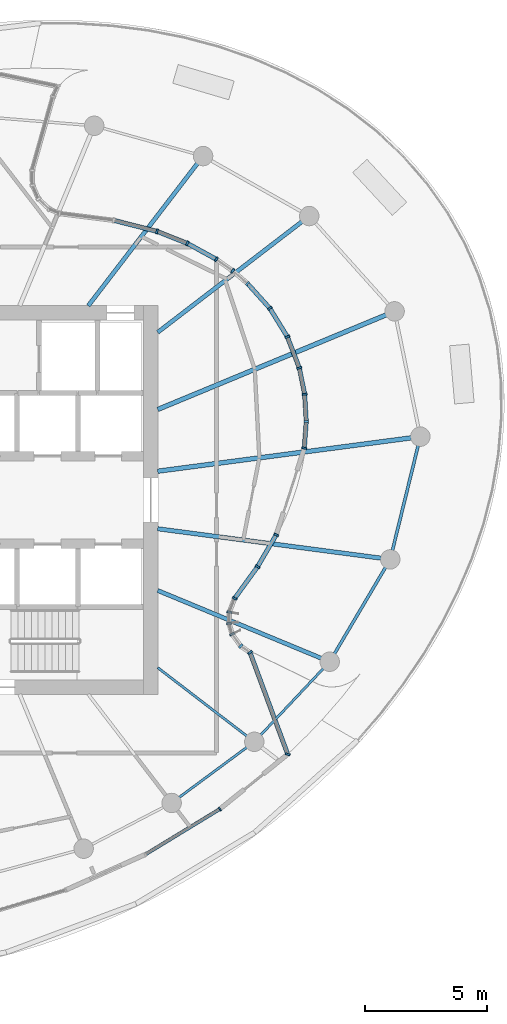
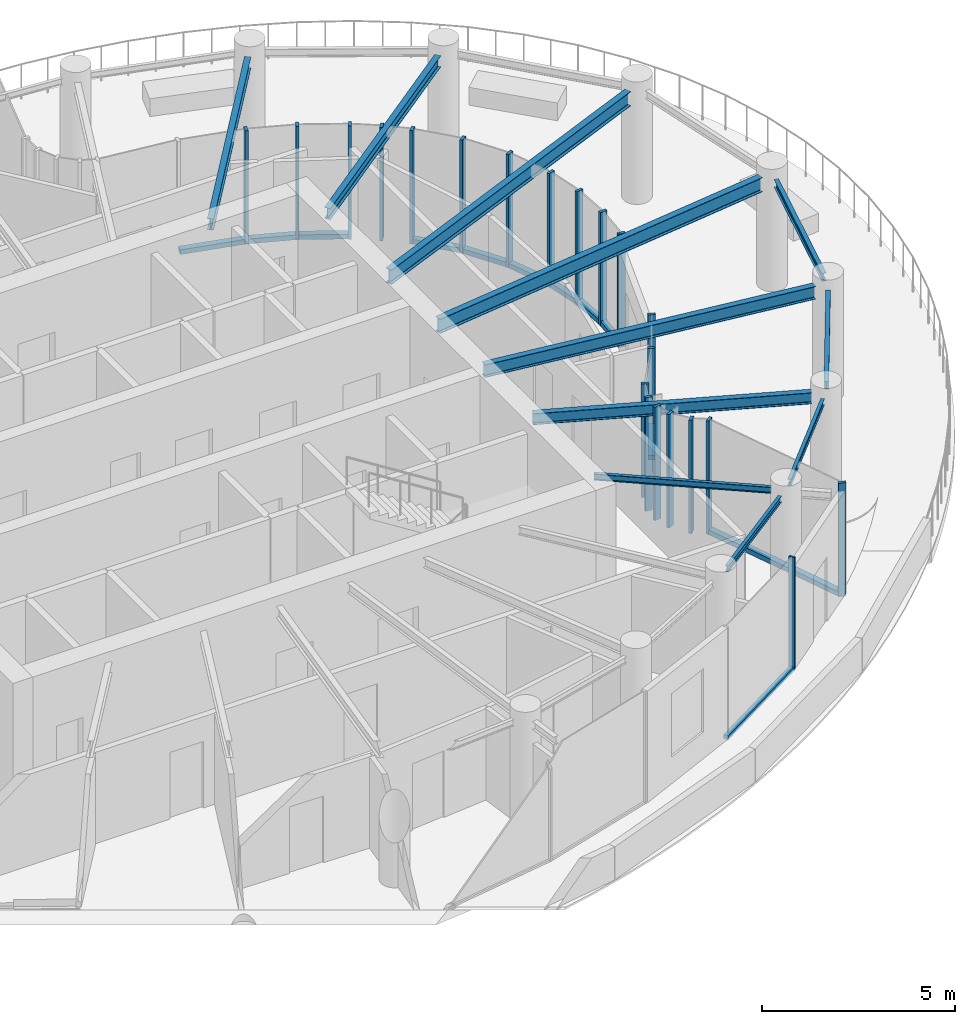
# One storey, part 4 of 19: 34 members, 11 beams, 5 elements without a shape of their own.
"""IFC4 building model written with IfcOpenShell, lengths in metres."""

from ifc_helpers import new_model, si_unit, direction, frame, origin, origin_2d, place, context, subcontext, project, spatial, rectangle, i_section, extrude, source, transform, mapped, material, layer, layer_set, material_profile, profile_set, type_object, element, aggregate, save


model = new_model("IFC4")

# Units and contexts
model_context = context("Model", 3, precision=1e-05, world=origin(), true_north=direction((0.0, 1.0)))
body_context = subcontext(model_context, "Body", "Model", "MODEL_VIEW")
ifc_project = project(units=[si_unit("LENGTHUNIT", "METRE"), si_unit("AREAUNIT", "SQUARE_METRE"), si_unit("VOLUMEUNIT", "CUBIC_METRE"), si_unit("PLANEANGLEUNIT", "RADIAN"), si_unit("MASSUNIT", "GRAM", prefix="KILO")], contexts=[model_context])

# Site, building, storey
site_placement = place(None, origin())
site = spatial("IfcSite", under=ifc_project, at=site_placement, CompositionType="ELEMENT")
building_placement = place(site_placement, origin())
building = spatial("IfcBuilding", under=site, at=building_placement, Name="Spindrift Exchange Tower", CompositionType="ELEMENT")
storey_placement = place(building_placement, frame((0.0, 0.0, 234.5)))
storey = spatial("IfcBuildingStorey", under=building, at=storey_placement, Name="L57", CompositionType="ELEMENT", Elevation=234.5)

# Beams
ifc_material_1 = material(Name="Steel Grade 300", Category="steel")
ifc_material_profile_1 = material_profile(ifc_material_1, i_section(OverallWidth=0.18994140625, OverallDepth=0.4541015625, WebThickness=0.008544921875, FlangeThickness=0.0126953125, FilletRadius=0.013916015625, at=origin_2d()), Name="460UB67.1")
ifc_profile_set_1 = profile_set([ifc_material_profile_1], Name="Steel Grade 300")
beam_type_1 = type_object("IfcBeamType", Name="Floor Beam 460UB67.1 Steel Grade 300", PredefinedType="BEAM", material=ifc_profile_set_1)
shared_shape_1 = source(origin(), body_context, "Body", "SweptSolid", [
    extrude(i_section(OverallWidth=0.18994140625, OverallDepth=0.4541015625, WebThickness=0.008544921875, FlangeThickness=0.0126953125, FilletRadius=0.013916015625, at=origin_2d()), origin(), (0.0, 0.0, 1.0), 10.510009765625),
])
beam_1_placement = place(storey_placement, frame((60.980224609375, 49.182373046875, 3.35302734375), z_axis=(0.991445042488, 0.130524816516, 0.0), x_axis=(-0.130524816516, 0.991445042488, 0.0)))
element("IfcBeam", 1, at=beam_1_placement, inside=storey, type_object=beam_type_1, Name="L57 radial beam R01A", PredefinedType="BEAM", context=body_context, shape_type="MappedRepresentation", body=[
    mapped(shared_shape_1, transform((0.0, 0.0, 0.0), scale=1.0)),
])
shared_shape_2 = source(origin(), body_context, "Body", "SweptSolid", [
    extrude(i_section(OverallWidth=0.18994140625, OverallDepth=0.4541015625, WebThickness=0.008544921875, FlangeThickness=0.0126953125, FilletRadius=0.013916015625, at=origin_2d()), origin(), (0.0, 0.0, 1.0), 10.160400390625),
])
beam_2_placement = place(storey_placement, frame((60.9814453125, 51.72021484375, 3.35302734375), z_axis=(0.923880358773, 0.382681437588, 0.0), x_axis=(-0.382681437588, 0.923880358773, 0.0)))
element("IfcBeam", 2, at=beam_2_placement, inside=storey, type_object=beam_type_1, Name="L57 radial beam R02A", PredefinedType="BEAM", context=body_context, shape_type="MappedRepresentation", body=[
    mapped(shared_shape_2, transform((0.0, 0.0, 0.0), scale=1.0)),
])
ifc_material_profile_2 = material_profile(ifc_material_1, i_section(OverallWidth=0.1708984375, OverallDepth=0.35205078125, WebThickness=0.0068359375, FlangeThickness=0.009765625, FilletRadius=0.013916015625, at=origin_2d()), Name="360UB44.7")
ifc_profile_set_2 = profile_set([ifc_material_profile_2], Name="Steel Grade 300")
beam_type_2 = type_object("IfcBeamType", Name="Floor Beam 360UB44.7 Steel Grade 300", PredefinedType="BEAM", material=ifc_profile_set_2)
shared_shape_3 = source(origin(), body_context, "Body", "SweptSolid", [
    extrude(i_section(OverallWidth=0.1708984375, OverallDepth=0.35205078125, WebThickness=0.0068359375, FlangeThickness=0.009765625, FilletRadius=0.013916015625, at=origin_2d()), origin(), (0.0, 0.0, 1.0), 7.466796875),
])
beam_3_placement = place(storey_placement, frame((60.984130859375, 54.893798828125, 3.404052734375), z_axis=(0.793360004804, 0.608752743548, 0.0), x_axis=(-0.608752743548, 0.793360004804, 0.0)))
element("IfcBeam", 3, at=beam_3_placement, inside=storey, type_object=beam_type_2, Name="L57 radial beam R03A", PredefinedType="BEAM", context=body_context, shape_type="MappedRepresentation", body=[
    mapped(shared_shape_3, transform((0.0, 0.0, 0.0), scale=1.0)),
])
shared_shape_4 = source(origin(), body_context, "Body", "SweptSolid", [
    extrude(i_section(OverallWidth=0.1708984375, OverallDepth=0.35205078125, WebThickness=0.0068359375, FlangeThickness=0.009765625, FilletRadius=0.013916015625, at=origin_2d()), origin(), (0.0, 0.0, 1.0), 7.3740234375),
])
beam_4_placement = place(storey_placement, frame((58.12646484375, 55.984130859375, 3.404052734375), z_axis=(0.608751913917, 0.793360641387, 0.0), x_axis=(-0.793360641387, 0.608751913917, 0.0)))
element("IfcBeam", 4, at=beam_4_placement, inside=storey, type_object=beam_type_2, Name="L57 radial beam R04A", PredefinedType="BEAM", context=body_context, shape_type="MappedRepresentation", body=[
    mapped(shared_shape_4, transform((0.0, 0.0, 0.0), scale=1.0)),
])
ifc_material_profile_3 = material_profile(ifc_material_1, i_section(OverallWidth=0.09912109375, OverallDepth=0.197998046875, WebThickness=0.00439453125, FlangeThickness=0.007080078125, FilletRadius=0.010986328125, at=origin_2d()), Name="200UB18.2")
ifc_profile_set_3 = profile_set([ifc_material_profile_3], Name="Steel Grade 300")
beam_type_3 = type_object("IfcBeamType", Name="Floor Beam 200UB18.2 Steel Grade 300", PredefinedType="BEAM", material=ifc_profile_set_3)
shared_shape_5 = source(origin(), body_context, "Body", "SweptSolid", [
    extrude(i_section(OverallWidth=0.09912109375, OverallDepth=0.197998046875, WebThickness=0.00439453125, FlangeThickness=0.007080078125, FilletRadius=0.010986328125, at=origin_2d()), origin(), (0.0, 0.0, 1.0), 4.622802734375),
])
beam_5_placement = place(storey_placement, frame((60.984130859375, 41.106201171875, 3.48095703125), z_axis=(0.793347882225, -0.608768542033, 0.0), x_axis=(0.608768542033, 0.793347882225, 0.0)))
element("IfcBeam", 5, at=beam_5_placement, inside=storey, type_object=beam_type_3, Name="L57 radial beam R22A", PredefinedType="BEAM", context=body_context, shape_type="MappedRepresentation", body=[
    mapped(shared_shape_5, transform((0.0, 0.0, 0.0), scale=1.0)),
])
shared_shape_6 = source(origin(), body_context, "Body", "SweptSolid", [
    extrude(i_section(OverallWidth=0.1708984375, OverallDepth=0.35205078125, WebThickness=0.0068359375, FlangeThickness=0.009765625, FilletRadius=0.013916015625, at=origin_2d()), origin(), (0.0, 0.0, 1.0), 7.272705078125),
])
beam_6_placement = place(storey_placement, frame((60.9814453125, 44.27978515625, 3.404052734375), z_axis=(0.923874446092, -0.382695711836, 0.0), x_axis=(0.382695711836, 0.923874446092, 0.0)))
element("IfcBeam", 6, at=beam_6_placement, inside=storey, type_object=beam_type_2, Name="L57 radial beam R23A", PredefinedType="BEAM", context=body_context, shape_type="MappedRepresentation", body=[
    mapped(shared_shape_6, transform((0.0, 0.0, 0.0), scale=1.0)),
])
ifc_material_profile_4 = material_profile(ifc_material_1, i_section(OverallWidth=0.177978515625, OverallDepth=0.403076171875, WebThickness=0.007568359375, FlangeThickness=0.010986328125, FilletRadius=0.013916015625, at=origin_2d()), Name="410UB53.7")
ifc_profile_set_4 = profile_set([ifc_material_profile_4], Name="Steel Grade 300")
beam_type_4 = type_object("IfcBeamType", Name="Floor Beam 410UB53.7 Steel Grade 300", PredefinedType="BEAM", material=ifc_profile_set_4)
shared_shape_7 = source(origin(), body_context, "Body", "SweptSolid", [
    extrude(i_section(OverallWidth=0.177978515625, OverallDepth=0.403076171875, WebThickness=0.007568359375, FlangeThickness=0.010986328125, FilletRadius=0.013916015625, at=origin_2d()), origin(), (0.0, 0.0, 1.0), 9.261962890625),
])
beam_7_placement = place(storey_placement, frame((60.980224609375, 46.817626953125, 3.37841796875), z_axis=(0.991447744872, -0.130504288008, 0.0), x_axis=(0.130504288008, 0.991447744872, 0.0)))
element("IfcBeam", 7, at=beam_7_placement, inside=storey, type_object=beam_type_4, Name="L57 radial beam R24A", PredefinedType="BEAM", context=body_context, shape_type="MappedRepresentation", body=[
    mapped(shared_shape_7, transform((0.0, 0.0, 0.0), scale=1.0)),
])
ifc_material_profile_5 = material_profile(ifc_material_1, i_section(OverallWidth=0.09912109375, OverallDepth=0.197998046875, WebThickness=0.00439453125, FlangeThickness=0.007080078125, FilletRadius=0.010986328125, at=origin_2d()), Name="200UB18.2")
ifc_profile_set_5 = profile_set([ifc_material_profile_5], Name="Steel Grade 300")
beam_type_5 = type_object("IfcBeamType", Name="Edge Beam 200UB18.2 Steel Grade 300", PredefinedType="SPANDREL", material=ifc_profile_set_5)
shared_shape_8 = source(origin(), body_context, "Body", "SweptSolid", [
    extrude(i_section(OverallWidth=0.09912109375, OverallDepth=0.197998046875, WebThickness=0.00439453125, FlangeThickness=0.007080078125, FilletRadius=0.010986328125, at=origin_2d()), origin(), (0.0, 0.0, 1.0), 3.466552734375),
])
beam_8_placement = place(storey_placement, frame((61.861083984375, 35.772705078125, 3.48095703125), z_axis=(0.803854022168, 0.594826622676, 0.0), x_axis=(-0.594826622676, 0.803854022168, 0.0)))
element("IfcBeam", 8, at=beam_8_placement, inside=storey, type_object=beam_type_5, Name="L57 edge beam E21", PredefinedType="SPANDREL", context=body_context, shape_type="MappedRepresentation", body=[
    mapped(shared_shape_8, transform((0.0, 0.0, 0.0), scale=1.0)),
])
shared_shape_9 = source(origin(), body_context, "Body", "SweptSolid", [
    extrude(i_section(OverallWidth=0.09912109375, OverallDepth=0.197998046875, WebThickness=0.00439453125, FlangeThickness=0.007080078125, FilletRadius=0.010986328125, at=origin_2d()), origin(), (0.0, 0.0, 1.0), 3.759765625),
])
beam_9_placement = place(storey_placement, frame((65.213623046875, 38.33740234375, 3.48095703125), z_axis=(0.685520646854, 0.72805318675, 0.0), x_axis=(-0.72805318675, 0.685520646854, 0.0)))
element("IfcBeam", 9, at=beam_9_placement, inside=storey, type_object=beam_type_5, Name="L57 edge beam E22", PredefinedType="SPANDREL", context=body_context, shape_type="MappedRepresentation", body=[
    mapped(shared_shape_9, transform((0.0, 0.0, 0.0), scale=1.0)),
])
ifc_material_profile_6 = material_profile(ifc_material_1, i_section(OverallWidth=0.1240234375, OverallDepth=0.248046875, WebThickness=0.0048828125, FlangeThickness=0.008056640625, FilletRadius=0.011962890625, at=origin_2d()), Name="250UB25.7")
ifc_profile_set_6 = profile_set([ifc_material_profile_6], Name="Steel Grade 300")
beam_type_6 = type_object("IfcBeamType", Name="Edge Beam 250UB25.7 Steel Grade 300", PredefinedType="SPANDREL", material=ifc_profile_set_6)
shared_shape_10 = source(origin(), body_context, "Body", "SweptSolid", [
    extrude(i_section(OverallWidth=0.1240234375, OverallDepth=0.248046875, WebThickness=0.0048828125, FlangeThickness=0.008056640625, FilletRadius=0.011962890625, at=origin_2d()), origin(), (0.0, 0.0, 1.0), 4.128662109375),
])
beam_10_placement = place(storey_placement, frame((68.244873046875, 41.678466796875, 3.4560546875), z_axis=(0.509067946458, 0.860726336235, 0.0), x_axis=(-0.860726336235, 0.509067946458, 0.0)))
element("IfcBeam", 10, at=beam_10_placement, inside=storey, type_object=beam_type_6, Name="L57 edge beam E23", PredefinedType="SPANDREL", context=body_context, shape_type="MappedRepresentation", body=[
    mapped(shared_shape_10, transform((0.0, 0.0, 0.0), scale=1.0)),
])
shared_shape_11 = source(origin(), body_context, "Body", "SweptSolid", [
    extrude(i_section(OverallWidth=0.1240234375, OverallDepth=0.248046875, WebThickness=0.0048828125, FlangeThickness=0.008056640625, FilletRadius=0.011962890625, at=origin_2d()), origin(), (0.0, 0.0, 1.0), 4.43408203125),
])
beam_11_placement = place(storey_placement, frame((70.630615234375, 45.92822265625, 3.4560546875), z_axis=(0.238193109804, 0.971217814109, 0.0), x_axis=(-0.971217814109, 0.238193109804, 0.0)))
element("IfcBeam", 11, at=beam_11_placement, inside=storey, type_object=beam_type_6, Name="L57 edge beam E24", PredefinedType="SPANDREL", context=body_context, shape_type="MappedRepresentation", body=[
    mapped(shared_shape_11, transform((0.0, 0.0, 0.0), scale=1.0)),
])

# Curtain wall, member
ifc_material_2 = material(Name="Fritted laminated glass with bronze frame", Category="glass")
ifc_layer_1 = layer(ifc_material_2, 0.199951171875)
ifc_layer_set_1 = layer_set([ifc_layer_1], Name="SKY GARDEN BRONZE GLAZED WALL")
curtain_wall_type_1 = type_object("IfcCurtainWallType", Name="SKY GARDEN BRONZE GLAZED WALL", PredefinedType="NOTDEFINED", material=ifc_layer_set_1)
curtain_wall_1_placement = place(storey_placement, origin())
curtain_wall_1 = element("IfcCurtainWall", 12, at=curtain_wall_1_placement, inside=storey, type_object=curtain_wall_type_1, Name="L57 Sky Garden Bronze Glazed Wall run 7", PredefinedType="NOTDEFINED")
ifc_material_3 = material(Name="Bronze anodised aluminium", Category="aluminium")
ifc_material_profile_7 = material_profile(ifc_material_3, rectangle(XDim=0.179931640625, YDim=0.14990234375, at=origin_2d()), Name="SKY GARDEN BRONZE GLAZED WALL TRANSOM 180X150")
ifc_profile_set_7 = profile_set([ifc_material_profile_7], Name="Bronze anodised aluminium")
member_type_1 = type_object("IfcMemberType", Name="SKY GARDEN BRONZE GLAZED WALL TRANSOM 180X150", PredefinedType="USERDEFINED", material=ifc_profile_set_7)
shared_shape_12 = source(origin(), body_context, "Body", "SweptSolid", [
    extrude(rectangle(XDim=0.179931640625, YDim=0.14990234375, at=origin_2d()), origin(), (0.0, 0.0, 1.0), 1.28857421875),
])
member_1_placement = place(storey_placement, frame((65.563232421875, 55.908935546875, 0.074951171875), z_axis=(-0.668399311591, 0.743802635291, 0.0), x_axis=(-0.743802635291, -0.668399311591, 0.0)))
member_1 = element("IfcMember", 13, at=member_1_placement, type_object=member_type_1, Name="L57 transom CW-G.39", ObjectType="TRANSOM", PredefinedType="USERDEFINED", context=body_context, shape_type="MappedRepresentation", body=[
    mapped(shared_shape_12, transform((0.0, 0.0, 0.0), scale=1.0)),
])

# Curtain wall, members
curtain_wall_2_placement = place(storey_placement, origin())
curtain_wall_2 = element("IfcCurtainWall", 14, at=curtain_wall_2_placement, inside=storey, type_object=curtain_wall_type_1, Name="L57 Sky Garden Bronze Glazed Wall run 5", PredefinedType="NOTDEFINED")
ifc_material_profile_8 = material_profile(ifc_material_3, rectangle(XDim=0.0849609375, YDim=0.199951171875, at=origin_2d()), Name="SKY GARDEN BRONZE GLAZED WALL MULLION 85X200")
ifc_profile_set_8 = profile_set([ifc_material_profile_8], Name="Bronze anodised aluminium")
member_type_2 = type_object("IfcMemberType", Name="SKY GARDEN BRONZE GLAZED WALL MULLION 85X200", PredefinedType="MULLION", material=ifc_profile_set_8)
shared_shape_13 = source(origin(), body_context, "Body", "SweptSolid", [
    extrude(rectangle(XDim=0.0849609375, YDim=0.199951171875, at=origin_2d()), origin(), (0.0, 0.0, 1.0), 3.580078125),
])
member_2_placement = place(storey_placement, frame((66.325927734375, 37.547607421875, 0.0), z_axis=(0.0, 0.0, 1.0), x_axis=(0.265468193491, 0.964119618224, 0.0)))
member_2 = element("IfcMember", 15, at=member_2_placement, type_object=member_type_2, Name="L57 mullion CW-G.23", PredefinedType="MULLION", context=body_context, shape_type="MappedRepresentation", body=[
    mapped(shared_shape_13, transform((0.0, 0.0, 0.0), scale=1.0)),
])
member_3_placement = place(storey_placement, frame((64.77587890625, 41.732421875, 0.0), z_axis=(0.0, 0.0, 1.0), x_axis=(-0.614357284079, 0.789027963699, 0.0)))
member_3 = element("IfcMember", 16, at=member_3_placement, type_object=member_type_2, Name="L57 mullion CW-G.24", PredefinedType="MULLION", context=body_context, shape_type="MappedRepresentation", body=[
    mapped(shared_shape_13, transform((0.0, 0.0, 0.0), scale=1.0)),
])
member_4_placement = place(storey_placement, frame((64.3955078125, 41.993896484375, 0.0), z_axis=(0.0, 0.0, 1.0), x_axis=(-0.714184588625, 0.699957408254, 0.0)))
member_4 = element("IfcMember", 17, at=member_4_placement, type_object=member_type_2, Name="L57 mullion CW-G.25", PredefinedType="MULLION", context=body_context, shape_type="MappedRepresentation", body=[
    mapped(shared_shape_13, transform((0.0, 0.0, 0.0), scale=1.0)),
])
member_5_placement = place(storey_placement, frame((64.0419921875, 42.486328125, 0.0), z_axis=(0.0, 0.0, 1.0), x_axis=(-0.433955308435, 0.900934398434, 0.0)))
member_5 = element("IfcMember", 18, at=member_5_placement, type_object=member_type_2, Name="L57 mullion CW-G.26", PredefinedType="MULLION", context=body_context, shape_type="MappedRepresentation", body=[
    mapped(shared_shape_13, transform((0.0, 0.0, 0.0), scale=1.0)),
])
member_6_placement = place(storey_placement, frame((63.916015625, 42.93310546875, 0.0), z_axis=(0.0, 0.0, 1.0), x_axis=(-0.125443371021, 0.992100781507, 0.0)))
member_6 = element("IfcMember", 19, at=member_6_placement, type_object=member_type_2, Name="L57 mullion CW-G.27", PredefinedType="MULLION", context=body_context, shape_type="MappedRepresentation", body=[
    mapped(shared_shape_13, transform((0.0, 0.0, 0.0), scale=1.0)),
])
member_7_placement = place(storey_placement, frame((63.9267578125, 43.392333984375, 0.0), z_axis=(0.0, 0.0, 1.0), x_axis=(0.195233800845, 0.980756729779, 0.0)))
member_7 = element("IfcMember", 20, at=member_7_placement, type_object=member_type_2, Name="L57 mullion CW-G.28", PredefinedType="MULLION", context=body_context, shape_type="MappedRepresentation", body=[
    mapped(shared_shape_13, transform((0.0, 0.0, 0.0), scale=1.0)),
])

curtain_wall_3_placement = place(storey_placement, origin())
curtain_wall_3 = element("IfcCurtainWall", 21, at=curtain_wall_3_placement, inside=storey, type_object=curtain_wall_type_1, Name="L57 Sky Garden Bronze Glazed Wall run 6", PredefinedType="NOTDEFINED")
member_8_placement = place(storey_placement, frame((64.1455078125, 43.95751953125, 0.0), z_axis=(0.0, 0.0, 1.0), x_axis=(0.477557331167, 0.878600589261, 0.0)))
member_8 = element("IfcMember", 22, at=member_8_placement, type_object=member_type_2, Name="L57 mullion CW-G.29", PredefinedType="MULLION", context=body_context, shape_type="MappedRepresentation", body=[
    mapped(shared_shape_13, transform((0.0, 0.0, 0.0), scale=1.0)),
])
member_9_placement = place(storey_placement, frame((65.087646484375, 45.259033203125, 0.0), z_axis=(0.0, 0.0, 1.0), x_axis=(0.545772564348, 0.837933355348, 0.0)))
member_9 = element("IfcMember", 23, at=member_9_placement, type_object=member_type_2, Name="L57 mullion CW-G.30", PredefinedType="MULLION", context=body_context, shape_type="MappedRepresentation", body=[
    mapped(shared_shape_13, transform((0.0, 0.0, 0.0), scale=1.0)),
])
member_10_placement = place(storey_placement, frame((65.853759765625, 46.572509765625, 0.0), z_axis=(0.0, 0.0, 1.0), x_axis=(0.40845313296, 0.912779293244, 0.0)))
member_10 = element("IfcMember", 24, at=member_10_placement, type_object=member_type_2, Name="L57 mullion CW-G.31", PredefinedType="MULLION", context=body_context, shape_type="MappedRepresentation", body=[
    mapped(shared_shape_13, transform((0.0, 0.0, 0.0), scale=1.0)),
])
member_11_placement = place(storey_placement, frame((67.007080078125, 50.131103515625, 0.0), z_axis=(0.0, 0.0, 1.0), x_axis=(0.191887148905, 0.981416997043, 0.0)))
member_11 = element("IfcMember", 25, at=member_11_placement, type_object=member_type_2, Name="L57 mullion CW-G.34", PredefinedType="MULLION", context=body_context, shape_type="MappedRepresentation", body=[
    mapped(shared_shape_13, transform((0.0, 0.0, 0.0), scale=1.0)),
])

# Member
member_12_placement = place(storey_placement, frame((67.0869140625, 51.225341796875, 0.0), z_axis=(0.0, 0.0, 1.0), x_axis=(0.00730052405, 0.999973350819, 0.0)))
member_12 = element("IfcMember", 26, at=member_12_placement, type_object=member_type_2, Name="L57 mullion CW-G.35", PredefinedType="MULLION", context=body_context, shape_type="MappedRepresentation", body=[
    mapped(shared_shape_13, transform((0.0, 0.0, 0.0), scale=1.0)),
])

member_13_placement = place(storey_placement, frame((67.021484375, 52.34814453125, 0.0), z_axis=(0.0, 0.0, 1.0), x_axis=(-0.128680856934, 0.991686057711, 0.0)))
member_13 = element("IfcMember", 27, at=member_13_placement, type_object=member_type_2, Name="L57 mullion CW-G.36", PredefinedType="MULLION", context=body_context, shape_type="MappedRepresentation", body=[
    mapped(shared_shape_13, transform((0.0, 0.0, 0.0), scale=1.0)),
])

member_14_placement = place(storey_placement, frame((66.802978515625, 53.426513671875, 0.0), z_axis=(0.0, 0.0, 1.0), x_axis=(-0.279090839855, 0.960264704709, 0.0)))
member_14 = element("IfcMember", 28, at=member_14_placement, type_object=member_type_2, Name="L57 mullion CW-G.37", PredefinedType="MULLION", context=body_context, shape_type="MappedRepresentation", body=[
    mapped(shared_shape_13, transform((0.0, 0.0, 0.0), scale=1.0)),
])

member_15_placement = place(storey_placement, frame((66.311767578125, 54.708740234375, 0.0), z_axis=(0.0, 0.0, 1.0), x_axis=(-0.443104424452, 0.896470004535, 0.0)))
member_15 = element("IfcMember", 29, at=member_15_placement, type_object=member_type_2, Name="L57 mullion CW-G.38", PredefinedType="MULLION", context=body_context, shape_type="MappedRepresentation", body=[
    mapped(shared_shape_13, transform((0.0, 0.0, 0.0), scale=1.0)),
])

member_16_placement = place(storey_placement, frame((65.591552734375, 55.877197265625, 0.0), z_axis=(0.0, 0.0, 1.0), x_axis=(-0.598918854681, 0.800809718665, 0.0)))
member_16 = element("IfcMember", 30, at=member_16_placement, type_object=member_type_2, Name="L57 mullion CW-G.39", PredefinedType="MULLION", context=body_context, shape_type="MappedRepresentation", body=[
    mapped(shared_shape_13, transform((0.0, 0.0, 0.0), scale=1.0)),
])

member_17_placement = place(storey_placement, frame((64.673583984375, 56.89892578125, 0.0), z_axis=(0.0, 0.0, 1.0), x_axis=(-0.716224608515, 0.697869837547, 0.0)))
member_17 = element("IfcMember", 31, at=member_17_placement, type_object=member_type_2, Name="L57 mullion CW-G.40", PredefinedType="MULLION", context=body_context, shape_type="MappedRepresentation", body=[
    mapped(shared_shape_13, transform((0.0, 0.0, 0.0), scale=1.0)),
])

# Curtain wall, members
curtain_wall_4_placement = place(storey_placement, origin())
curtain_wall_4 = element("IfcCurtainWall", 32, at=curtain_wall_4_placement, inside=storey, type_object=curtain_wall_type_1, Name="L57 Sky Garden Bronze Glazed Wall run 8", PredefinedType="NOTDEFINED")
member_18_placement = place(storey_placement, frame((64.0634765625, 57.419189453125, 0.0), z_axis=(0.0, 0.0, 1.0), x_axis=(-0.789806952035, 0.613355507448, 0.0)))
member_18 = element("IfcMember", 33, at=member_18_placement, type_object=member_type_2, Name="L57 mullion CW-G.41", PredefinedType="MULLION", context=body_context, shape_type="MappedRepresentation", body=[
    mapped(shared_shape_13, transform((0.0, 0.0, 0.0), scale=1.0)),
])
member_19_placement = place(storey_placement, frame((63.390625, 57.89404296875, 0.0), z_axis=(0.0, 0.0, 1.0), x_axis=(-0.84822811426, 0.529631066101, 0.0)))
member_19 = element("IfcMember", 34, at=member_19_placement, type_object=member_type_2, Name="L57 mullion CW-G.42", PredefinedType="MULLION", context=body_context, shape_type="MappedRepresentation", body=[
    mapped(shared_shape_13, transform((0.0, 0.0, 0.0), scale=1.0)),
])
member_20_placement = place(storey_placement, frame((62.19677734375, 58.549072265625, 0.0), z_axis=(0.0, 0.0, 1.0), x_axis=(-0.905005022262, 0.425400881148, 0.0)))
member_20 = element("IfcMember", 35, at=member_20_placement, type_object=member_type_2, Name="L57 mullion CW-G.43", PredefinedType="MULLION", context=body_context, shape_type="MappedRepresentation", body=[
    mapped(shared_shape_13, transform((0.0, 0.0, 0.0), scale=1.0)),
])
member_21_placement = place(storey_placement, frame((60.95166015625, 59.0419921875, 0.0), z_axis=(0.0, 0.0, 1.0), x_axis=(-0.951268041441, 0.30836522718, 0.0)))
member_21 = element("IfcMember", 36, at=member_21_placement, type_object=member_type_2, Name="L57 mullion CW-G.44", PredefinedType="MULLION", context=body_context, shape_type="MappedRepresentation", body=[
    mapped(shared_shape_13, transform((0.0, 0.0, 0.0), scale=1.0)),
])

ifc_layer_2 = layer(ifc_material_2, 0.159912109375)
ifc_layer_set_2 = layer_set([ifc_layer_2], Name="ZONE 5 BRONZE FRITTED WALL")
curtain_wall_type_2 = type_object("IfcCurtainWallType", Name="ZONE 5 BRONZE FRITTED WALL", PredefinedType="NOTDEFINED", material=ifc_layer_set_2)
curtain_wall_5_placement = place(storey_placement, origin())
curtain_wall_5 = element("IfcCurtainWall", 37, at=curtain_wall_5_placement, inside=storey, type_object=curtain_wall_type_2, Name="L57 Zone 5 Bronze Fritted Wall run 4", PredefinedType="NOTDEFINED")
ifc_material_profile_9 = material_profile(ifc_material_3, rectangle(XDim=0.06005859375, YDim=0.159912109375, at=origin_2d()), Name="ZONE 5 BRONZE FRITTED WALL MULLION 60X160")
ifc_profile_set_9 = profile_set([ifc_material_profile_9], Name="Bronze anodised aluminium")
member_type_3 = type_object("IfcMemberType", Name="ZONE 5 BRONZE FRITTED WALL MULLION 60X160", PredefinedType="MULLION", material=ifc_profile_set_9)
shared_shape_14 = source(origin(), body_context, "Body", "SweptSolid", [
    extrude(rectangle(XDim=0.06005859375, YDim=0.159912109375, at=origin_2d()), origin(), (0.0, 0.0, 1.0), 3.580078125),
])
member_22_placement = place(storey_placement, frame((63.53466796875, 35.296142578125, 0.0), z_axis=(0.0, 0.0, 1.0), x_axis=(0.8179370738, 0.575307694459, 0.0)))
member_22 = element("IfcMember", 38, at=member_22_placement, type_object=member_type_3, Name="L57 mullion CW-5.22", PredefinedType="MULLION", context=body_context, shape_type="MappedRepresentation", body=[
    mapped(shared_shape_14, transform((0.0, 0.0, 0.0), scale=1.0)),
])
ifc_material_profile_10 = material_profile(ifc_material_3, rectangle(XDim=0.139892578125, YDim=0.1201171875, at=origin_2d()), Name="ZONE 5 BRONZE FRITTED WALL TRANSOM 140X120")
ifc_profile_set_10 = profile_set([ifc_material_profile_10], Name="Bronze anodised aluminium")
member_type_4 = type_object("IfcMemberType", Name="ZONE 5 BRONZE FRITTED WALL TRANSOM 140X120", PredefinedType="USERDEFINED", material=ifc_profile_set_10)
shared_shape_15 = source(origin(), body_context, "Body", "SweptSolid", [
    extrude(rectangle(XDim=0.139892578125, YDim=0.1201171875, at=origin_2d()), origin(), (0.0, 0.0, 1.0), 3.5263671875),
])
member_23_placement = place(storey_placement, frame((60.49755859375, 33.44580078125, 0.06005859375), z_axis=(0.853991265707, 0.520287341856, 0.0), x_axis=(-0.520287341856, 0.853991265707, 0.0)))
member_23 = element("IfcMember", 39, at=member_23_placement, type_object=member_type_4, Name="L57 transom CW-5.21", ObjectType="TRANSOM", PredefinedType="USERDEFINED", context=body_context, shape_type="MappedRepresentation", body=[
    mapped(shared_shape_15, transform((0.0, 0.0, 0.0), scale=1.0)),
])
aggregate(curtain_wall_5, [member_23, member_22])

# Member
shared_shape_16 = source(origin(), body_context, "Body", "SweptSolid", [
    extrude(rectangle(XDim=0.179931640625, YDim=0.14990234375, at=origin_2d()), origin(), (0.0, 0.0, 1.0), 4.37744140625),
])
member_24_placement = place(storey_placement, frame((66.31103515625, 37.58740234375, 0.074951171875), z_axis=(-0.34729437458, 0.937756160942, 0.0), x_axis=(-0.937756160942, -0.34729437458, 0.0)))
member_24 = element("IfcMember", 40, at=member_24_placement, type_object=member_type_1, Name="L57 transom CW-G.23", ObjectType="TRANSOM", PredefinedType="USERDEFINED", context=body_context, shape_type="MappedRepresentation", body=[
    mapped(shared_shape_16, transform((0.0, 0.0, 0.0), scale=1.0)),
])

aggregate(curtain_wall_2, [member_2, member_24, member_3, member_4, member_5, member_6, member_7])

shared_shape_17 = source(origin(), body_context, "Body", "SweptSolid", [
    extrude(rectangle(XDim=0.179931640625, YDim=0.14990234375, at=origin_2d()), origin(), (0.0, 0.0, 1.0), 1.521728515625),
])
member_25_placement = place(storey_placement, frame((64.17041015625, 43.991943359375, 0.074951171875), z_axis=(0.586386413799, 0.810031464643, 0.0), x_axis=(-0.810031464643, 0.586386413799, 0.0)))
member_25 = element("IfcMember", 41, at=member_25_placement, type_object=member_type_1, Name="L57 transom CW-G.29", ObjectType="TRANSOM", PredefinedType="USERDEFINED", context=body_context, shape_type="MappedRepresentation", body=[
    mapped(shared_shape_17, transform((0.0, 0.0, 0.0), scale=1.0)),
])

shared_shape_18 = source(origin(), body_context, "Body", "SweptSolid", [
    extrude(rectangle(XDim=0.179931640625, YDim=0.14990234375, at=origin_2d()), origin(), (0.0, 0.0, 1.0), 1.435302734375),
])
member_26_placement = place(storey_placement, frame((65.109130859375, 45.2958984375, 0.074951171875), z_axis=(0.503849872467, 0.863791239834, 0.0), x_axis=(-0.863791239834, 0.503849872467, 0.0)))
member_26 = element("IfcMember", 42, at=member_26_placement, type_object=member_type_1, Name="L57 transom CW-G.30", ObjectType="TRANSOM", PredefinedType="USERDEFINED", context=body_context, shape_type="MappedRepresentation", body=[
    mapped(shared_shape_18, transform((0.0, 0.0, 0.0), scale=1.0)),
])

shared_shape_19 = source(origin(), body_context, "Body", "SweptSolid", [
    extrude(rectangle(XDim=0.179931640625, YDim=0.14990234375, at=origin_2d()), origin(), (0.0, 0.0, 1.0), 1.012451171875),
])
member_27_placement = place(storey_placement, frame((67.010009765625, 50.17333984375, 0.074951171875), z_axis=(0.072823535326, 0.997344841418, 0.0), x_axis=(-0.997344841418, 0.072823535326, 0.0)))
member_27 = element("IfcMember", 43, at=member_27_placement, type_object=member_type_1, Name="L57 transom CW-G.34", ObjectType="TRANSOM", PredefinedType="USERDEFINED", context=body_context, shape_type="MappedRepresentation", body=[
    mapped(shared_shape_19, transform((0.0, 0.0, 0.0), scale=1.0)),
])

aggregate(curtain_wall_3, [member_8, member_25, member_9, member_26, member_10, member_11, member_27])

shared_shape_20 = source(origin(), body_context, "Body", "SweptSolid", [
    extrude(rectangle(XDim=0.179931640625, YDim=0.14990234375, at=origin_2d()), origin(), (0.0, 0.0, 1.0), 1.03955078125),
])
member_28_placement = place(storey_placement, frame((67.084228515625, 51.267822265625, 0.074951171875), z_axis=(-0.058006141585, 0.998316226222, 0.0), x_axis=(-0.998316226222, -0.058006141585, 0.0)))
member_28 = element("IfcMember", 44, at=member_28_placement, type_object=member_type_1, Name="L57 transom CW-G.35", ObjectType="TRANSOM", PredefinedType="USERDEFINED", context=body_context, shape_type="MappedRepresentation", body=[
    mapped(shared_shape_20, transform((0.0, 0.0, 0.0), scale=1.0)),
])

shared_shape_21 = source(origin(), body_context, "Body", "SweptSolid", [
    extrude(rectangle(XDim=0.179931640625, YDim=0.14990234375, at=origin_2d()), origin(), (0.0, 0.0, 1.0), 1.015625),
])
member_29_placement = place(storey_placement, frame((67.012939453125, 52.3896484375, 0.074951171875), z_axis=(-0.198565695634, 0.980087580024, 0.0), x_axis=(-0.980087580024, -0.198565695634, 0.0)))
member_29 = element("IfcMember", 45, at=member_29_placement, type_object=member_type_1, Name="L57 transom CW-G.36", ObjectType="TRANSOM", PredefinedType="USERDEFINED", context=body_context, shape_type="MappedRepresentation", body=[
    mapped(shared_shape_21, transform((0.0, 0.0, 0.0), scale=1.0)),
])

shared_shape_22 = source(origin(), body_context, "Body", "SweptSolid", [
    extrude(rectangle(XDim=0.179931640625, YDim=0.14990234375, at=origin_2d()), origin(), (0.0, 0.0, 1.0), 1.287841796875),
])
member_30_placement = place(storey_placement, frame((66.78759765625, 53.46630859375, 0.074951171875), z_axis=(-0.357721133202, 0.933828459012, 0.0), x_axis=(-0.933828459012, -0.357721133202, 0.0)))
member_30 = element("IfcMember", 46, at=member_30_placement, type_object=member_type_1, Name="L57 transom CW-G.37", ObjectType="TRANSOM", PredefinedType="USERDEFINED", context=body_context, shape_type="MappedRepresentation", body=[
    mapped(shared_shape_22, transform((0.0, 0.0, 0.0), scale=1.0)),
])

shared_shape_23 = source(origin(), body_context, "Body", "SweptSolid", [
    extrude(rectangle(XDim=0.179931640625, YDim=0.14990234375, at=origin_2d()), origin(), (0.0, 0.0, 1.0), 1.28759765625),
])
member_31_placement = place(storey_placement, frame((66.28955078125, 54.744873046875, 0.074951171875), z_axis=(-0.524636840107, 0.851326133748, 0.0), x_axis=(-0.851326133748, -0.524636840107, 0.0)))
member_31 = element("IfcMember", 47, at=member_31_placement, type_object=member_type_1, Name="L57 transom CW-G.38", ObjectType="TRANSOM", PredefinedType="USERDEFINED", context=body_context, shape_type="MappedRepresentation", body=[
    mapped(shared_shape_23, transform((0.0, 0.0, 0.0), scale=1.0)),
])

aggregate(curtain_wall_1, [member_12, member_28, member_13, member_29, member_14, member_30, member_15, member_31, member_16, member_1, member_17])

shared_shape_24 = source(origin(), body_context, "Body", "SweptSolid", [
    extrude(rectangle(XDim=0.179931640625, YDim=0.14990234375, at=origin_2d()), origin(), (0.0, 0.0, 1.0), 1.276611328125),
])
member_32_placement = place(storey_placement, frame((63.353271484375, 57.91455078125, 0.074951171875), z_axis=(-0.876716151238, 0.48100809781, 0.0), x_axis=(-0.48100809781, -0.876716151238, 0.0)))
member_32 = element("IfcMember", 48, at=member_32_placement, type_object=member_type_1, Name="L57 transom CW-G.42", ObjectType="TRANSOM", PredefinedType="USERDEFINED", context=body_context, shape_type="MappedRepresentation", body=[
    mapped(shared_shape_24, transform((0.0, 0.0, 0.0), scale=1.0)),
])

shared_shape_25 = source(origin(), body_context, "Body", "SweptSolid", [
    extrude(rectangle(XDim=0.179931640625, YDim=0.14990234375, at=origin_2d()), origin(), (0.0, 0.0, 1.0), 1.254150390625),
])
member_33_placement = place(storey_placement, frame((62.1572265625, 58.564697265625, 0.074951171875), z_axis=(-0.929773298822, 0.368132602193, 0.0), x_axis=(-0.368132602193, -0.929773298822, 0.0)))
member_33 = element("IfcMember", 49, at=member_33_placement, type_object=member_type_1, Name="L57 transom CW-G.43", ObjectType="TRANSOM", PredefinedType="USERDEFINED", context=body_context, shape_type="MappedRepresentation", body=[
    mapped(shared_shape_25, transform((0.0, 0.0, 0.0), scale=1.0)),
])

shared_shape_26 = source(origin(), body_context, "Body", "SweptSolid", [
    extrude(rectangle(XDim=0.179931640625, YDim=0.14990234375, at=origin_2d()), origin(), (0.0, 0.0, 1.0), 1.74560546875),
])
member_34_placement = place(storey_placement, frame((60.910400390625, 59.052490234375, 0.074951171875), z_axis=(-0.968912717742, 0.247402799897, 0.0), x_axis=(-0.247402799897, -0.968912717742, 0.0)))
member_34 = element("IfcMember", 50, at=member_34_placement, type_object=member_type_1, Name="L57 transom CW-G.44", ObjectType="TRANSOM", PredefinedType="USERDEFINED", context=body_context, shape_type="MappedRepresentation", body=[
    mapped(shared_shape_26, transform((0.0, 0.0, 0.0), scale=1.0)),
])

aggregate(curtain_wall_4, [member_18, member_19, member_32, member_20, member_33, member_21, member_34])

save(model, "model.ifc")
